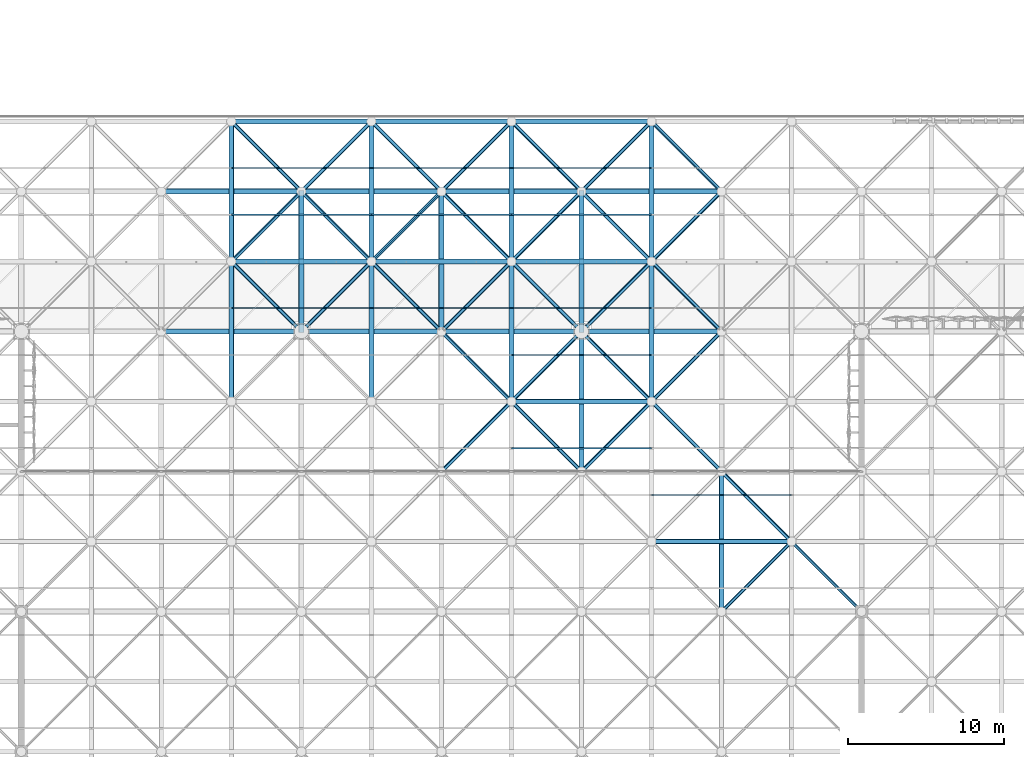
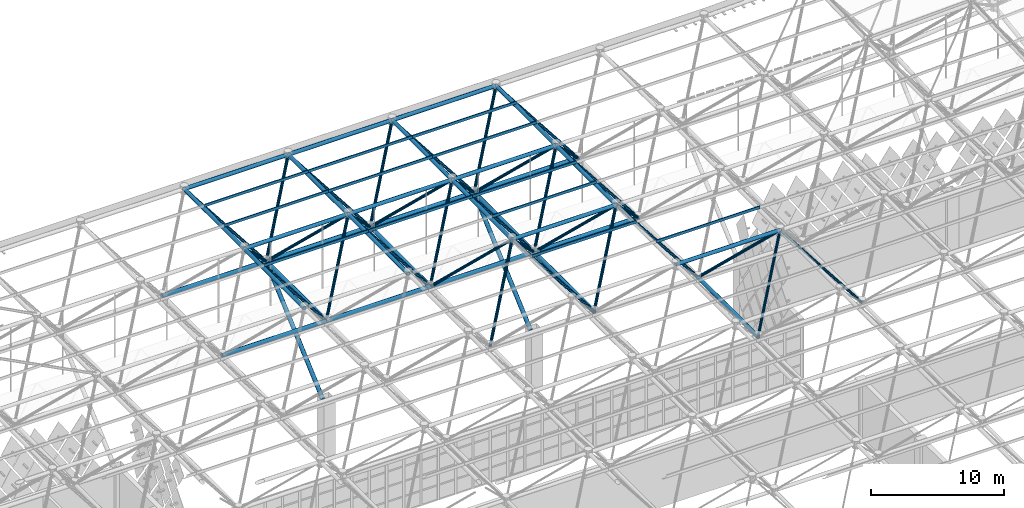
# One storey, part 185 of 437: 75 members.
"""IFC4 building model written with IfcOpenShell, lengths in metres."""

from ifc_helpers import new_model, si_unit, direction, frame, origin, origin_2d, place, context, subcontext, project, spatial, polyline, hollow_circle, outline, extrude, material, material_profile, profile_set, type_object, element, save


model = new_model("IFC4")

# Units and contexts
model_context = context("Model", 3, precision=1e-05, world=origin(), true_north=direction((0.0, 1.0)))
body_context = subcontext(model_context, "Body", "Model", "MODEL_VIEW")
ifc_project = project(units=[si_unit("LENGTHUNIT", "METRE"), si_unit("AREAUNIT", "SQUARE_METRE"), si_unit("VOLUMEUNIT", "CUBIC_METRE"), si_unit("PLANEANGLEUNIT", "RADIAN"), si_unit("MASSUNIT", "GRAM", prefix="KILO")], contexts=[model_context])

# Site, building, storey
site_placement = place(None, origin())
site = spatial("IfcSite", under=ifc_project, at=site_placement, CompositionType="ELEMENT")
building_placement = place(site_placement, origin())
building = spatial("IfcBuilding", under=site, at=building_placement, Name="Opaline Strait Convention Centre", CompositionType="ELEMENT")
storey_placement = place(building_placement, frame((0.0, 0.0, 11.5)))
storey = spatial("IfcBuildingStorey", under=building, at=storey_placement, Name="L02", CompositionType="ELEMENT", Elevation=11.5)

# Members
ifc_material = material(Name="Steel Q355B", Category="steel")
ifc_material_profile_1 = material_profile(ifc_material, hollow_circle(Radius=0.175537109375, WallThickness=0.01611328125, at=origin_2d()), Name="CHS 351x16")
ifc_profile_set_1 = profile_set([ifc_material_profile_1], Name="Steel Q355B")
member_type_1 = type_object("IfcMemberType", Name="Raking prop CHS 351x16", PredefinedType="BRACE", material=ifc_profile_set_1)
for number, where, z_axis, x_axis, name in (
    (1, (171.0, 153.51611328125, 5.01416015625), (0.0, 0.749834093781, 0.661625900191), (-1.0, 0.0, 0.0), "Raking prop 171/153 N"),
    (2, (189.0, 153.51611328125, 5.01416015625), (0.0, 0.749834093781, 0.661625900191), (-1.0, 0.0, 0.0), "Raking prop 189/153 N"),
):
    element("IfcMember", number, at=place(storey_placement, frame(where, z_axis=z_axis, x_axis=x_axis)), inside=storey, type_object=member_type_1, Name=name, PredefinedType="BRACE", context=body_context, shape_type="SweptSolid", body=[
        extrude(hollow_circle(Radius=0.175537109375, WallThickness=0.01611328125, at=origin_2d()), origin(), (0.0, 0.0, 1.0), 11.364501953125),
    ])
ifc_material_profile_2 = material_profile(ifc_material, outline(polyline([(-0.03759765625, -0.125), (0.03759765625, -0.125), (0.03759765625, -0.10498046875), (0.034912109375, -0.10498046875), (0.034912109375, -0.12255859375), (-0.034912109375, -0.12255859375), (-0.034912109375, 0.12255859375), (0.034912109375, 0.12255859375), (0.034912109375, 0.10498046875), (0.03759765625, 0.10498046875), (0.03759765625, 0.125), (-0.03759765625, 0.125), (-0.03759765625, -0.125)])), Name="C 250x75x20x2.5")
ifc_profile_set_2 = profile_set([ifc_material_profile_2], Name="Steel Q355B")
member_type_2 = type_object("IfcMemberType", Name="Roof purlin C 250x75x20x2.5", PredefinedType="PURLIN", material=ifc_profile_set_2)
for number, where, z_axis, x_axis, name in (
    (3, (184.5, 145.5, 18.257080078125), (1.0, 0.0, 0.0), (0.0, 1.0, 0.0), "EXB-RF-P-11-11-1"),
    (4, (193.5, 142.5, 18.257080078125), (1.0, 0.0, 0.0), (0.0, 1.0, 0.0), "EXB-RF-P-12-11-0"),
    (5, (166.5, 154.5, 18.257080078125), (1.0, 0.0, 0.0), (0.0, 1.0, 0.0), "EXB-RF-P-9-12-1"),
    (6, (175.5, 154.5, 18.257080078125), (1.0, 0.0, 0.0), (0.0, 1.0, 0.0), "EXB-RF-P-10-12-1"),
    (7, (184.5, 151.5, 18.257080078125), (1.0, 0.0, 0.0), (0.0, 1.0, 0.0), "EXB-RF-P-11-12-0"),
    (8, (184.5, 154.5, 18.257080078125), (1.0, 0.0, 0.0), (0.0, 1.0, 0.0), "EXB-RF-P-11-12-1"),
    (9, (166.5, 160.5, 18.257080078125), (1.0, 0.0, 0.0), (0.0, 1.0, 0.0), "EXB-RF-P-9-13-0"),
    (10, (166.5, 163.5, 18.257080078125), (1.0, 0.0, 0.0), (0.0, 1.0, 0.0), "EXB-RF-P-9-13-1"),
    (11, (175.5, 160.5, 18.257080078125), (1.0, 0.0, 0.0), (0.0, 1.0, 0.0), "EXB-RF-P-10-13-0"),
    (12, (175.5, 163.5, 18.257080078125), (1.0, 0.0, 0.0), (0.0, 1.0, 0.0), "EXB-RF-P-10-13-1"),
    (13, (184.5, 160.5, 18.257080078125), (1.0, 0.0, 0.0), (0.0, 1.0, 0.0), "EXB-RF-P-11-13-0"),
    (14, (184.5, 163.5, 18.257080078125), (1.0, 0.0, 0.0), (0.0, 1.0, 0.0), "EXB-RF-P-11-13-1"),
):
    element("IfcMember", number, at=place(storey_placement, frame(where, z_axis=z_axis, x_axis=x_axis)), inside=storey, type_object=member_type_2, Name=name, PredefinedType="PURLIN", context=body_context, shape_type="SweptSolid", body=[
        extrude(outline(polyline([(-0.03759765625, -0.125), (0.03759765625, -0.125), (0.03759765625, -0.10498046875), (0.034912109375, -0.10498046875), (0.034912109375, -0.12255859375), (-0.034912109375, -0.12255859375), (-0.034912109375, 0.12255859375), (0.034912109375, 0.12255859375), (0.034912109375, 0.10498046875), (0.03759765625, 0.10498046875), (0.03759765625, 0.125), (-0.03759765625, 0.125), (-0.03759765625, -0.125)])), origin(), (0.0, 0.0, 1.0), 9.0),
    ])
ifc_material_profile_3 = material_profile(ifc_material, hollow_circle(Radius=0.16259765625, WallThickness=0.013916015625, at=origin_2d()), Name="CHS 325x14")
ifc_profile_set_3 = profile_set([ifc_material_profile_3], Name="Steel Q355B")
member_type_3 = type_object("IfcMemberType", Name="Space frame bottom chord CHS 325x14", PredefinedType="CHORD", material=ifc_profile_set_3)
member_placement = place(storey_placement, frame((198.0, 134.949951171875, 12.5), z_axis=(0.0, 1.0, 0.0), x_axis=(-1.0, 0.0, 0.0)))
element("IfcMember", 15, at=member_placement, inside=storey, type_object=member_type_3, Name="EXB-RF-BY-12-10", PredefinedType="CHORD", context=body_context, shape_type="SweptSolid", body=[
    extrude(hollow_circle(Radius=0.16259765625, WallThickness=0.013916015625, at=origin_2d()), origin(), (0.0, 0.0, 1.0), 9.10009765625),
])
ifc_material_profile_4 = material_profile(ifc_material, hollow_circle(Radius=0.175537109375, WallThickness=0.01611328125, at=origin_2d()), Name="CHS 351x16")
ifc_profile_set_4 = profile_set([ifc_material_profile_4], Name="Steel Q355B")
member_type_4 = type_object("IfcMemberType", Name="Space frame bottom chord CHS 351x16", PredefinedType="CHORD", material=ifc_profile_set_4)
for number, where, z_axis, x_axis, name in (
    (16, (161.949951171875, 153.0, 12.5), (1.0, 0.0, 0.0), (0.0, 1.0, 0.0), "EXB-RF-BX-8-12"),
    (17, (170.949951171875, 153.0, 12.5), (1.0, 0.0, 0.0), (0.0, 1.0, 0.0), "EXB-RF-BX-9-12"),
    (18, (179.949951171875, 153.0, 12.5), (1.0, 0.0, 0.0), (0.0, 1.0, 0.0), "EXB-RF-BX-10-12"),
    (19, (188.949951171875, 153.0, 12.5), (1.0, 0.0, 0.0), (0.0, 1.0, 0.0), "EXB-RF-BX-11-12"),
    (20, (161.949951171875, 162.0, 12.5), (1.0, 0.0, 0.0), (0.0, 1.0, 0.0), "EXB-RF-BX-8-13"),
    (21, (170.949951171875, 162.0, 12.5), (1.0, 0.0, 0.0), (0.0, 1.0, 0.0), "EXB-RF-BX-9-13"),
    (22, (179.949951171875, 162.0, 12.5), (1.0, 0.0, 0.0), (0.0, 1.0, 0.0), "EXB-RF-BX-10-13"),
    (23, (188.949951171875, 162.0, 12.5), (1.0, 0.0, 0.0), (0.0, 1.0, 0.0), "EXB-RF-BX-11-13"),
    (24, (171.0, 152.949951171875, 12.5), (0.0, 1.0, 0.0), (-1.0, 0.0, 0.0), "EXB-RF-BY-9-12"),
    (25, (180.0, 152.949951171875, 12.5), (0.0, 1.0, 0.0), (-1.0, 0.0, 0.0), "EXB-RF-BY-10-12"),
    (26, (189.0, 143.949951171875, 12.5), (0.0, 1.0, 0.0), (-1.0, 0.0, 0.0), "EXB-RF-BY-11-11"),
    (27, (189.0, 152.949951171875, 12.5), (0.0, 1.0, 0.0), (-1.0, 0.0, 0.0), "EXB-RF-BY-11-12"),
):
    element("IfcMember", number, at=place(storey_placement, frame(where, z_axis=z_axis, x_axis=x_axis)), inside=storey, type_object=member_type_4, Name=name, PredefinedType="CHORD", context=body_context, shape_type="SweptSolid", body=[
        extrude(hollow_circle(Radius=0.175537109375, WallThickness=0.01611328125, at=origin_2d()), origin(), (0.0, 0.0, 1.0), 9.10009765625),
    ])
ifc_material_profile_5 = material_profile(ifc_material, hollow_circle(Radius=0.16259765625, WallThickness=0.013916015625, at=origin_2d()), Name="CHS 325x14")
ifc_profile_set_5 = profile_set([ifc_material_profile_5], Name="Steel Q355B")
member_type_5 = type_object("IfcMemberType", Name="Space frame top chord CHS 325x14", PredefinedType="CHORD", material=ifc_profile_set_5)
for number, where, z_axis, x_axis, name in (
    (28, (193.449951171875, 139.5, 17.971435546875), (1.0, 0.0, 0.0), (0.0, 1.0, 0.0), "EXB-RF-TX-12-11"),
    (29, (175.449951171875, 166.5, 17.971435546875), (1.0, 0.0, 0.0), (0.0, 1.0, 0.0), "EXB-RF-TX-10-14"),
):
    element("IfcMember", number, at=place(storey_placement, frame(where, z_axis=z_axis, x_axis=x_axis)), inside=storey, type_object=member_type_5, Name=name, PredefinedType="CHORD", context=body_context, shape_type="SweptSolid", body=[
        extrude(hollow_circle(Radius=0.16259765625, WallThickness=0.013916015625, at=origin_2d()), origin(), (0.0, 0.0, 1.0), 9.10009765625),
    ])
ifc_material_profile_6 = material_profile(ifc_material, hollow_circle(Radius=0.16259765625, WallThickness=0.02001953125, at=origin_2d()), Name="CHS 325x20")
ifc_profile_set_6 = profile_set([ifc_material_profile_6], Name="Steel Q355B")
member_type_6 = type_object("IfcMemberType", Name="Space frame top chord CHS 325x20", PredefinedType="CHORD", material=ifc_profile_set_6)
for number, where, z_axis, x_axis, name in (
    (30, (184.449951171875, 148.5, 17.971435546875), (1.0, 0.0, 0.0), (0.0, 1.0, 0.0), "EXB-RF-TX-11-12"),
    (31, (166.449951171875, 157.5, 17.971435546875), (1.0, 0.0, 0.0), (0.0, 1.0, 0.0), "EXB-RF-TX-9-13"),
    (32, (175.449951171875, 157.5, 17.971435546875), (1.0, 0.0, 0.0), (0.0, 1.0, 0.0), "EXB-RF-TX-10-13"),
    (33, (184.449951171875, 157.5, 17.971435546875), (1.0, 0.0, 0.0), (0.0, 1.0, 0.0), "EXB-RF-TX-11-13"),
    (34, (166.449951171875, 166.5, 17.971435546875), (1.0, 0.0, 0.0), (0.0, 1.0, 0.0), "EXB-RF-TX-9-14"),
    (35, (184.449951171875, 166.5, 17.971435546875), (1.0, 0.0, 0.0), (0.0, 1.0, 0.0), "EXB-RF-TX-11-14"),
    (36, (166.5, 148.449951171875, 17.971435546875), (0.0, 1.0, 0.0), (-1.0, 0.0, 0.0), "EXB-RF-TY-9-12"),
    (37, (166.5, 157.449951171875, 17.971435546875), (0.0, 1.0, 0.0), (-1.0, 0.0, 0.0), "EXB-RF-TY-9-13"),
    (38, (175.5, 148.449951171875, 17.971435546875), (0.0, 1.0, 0.0), (-1.0, 0.0, 0.0), "EXB-RF-TY-10-12"),
    (39, (175.5, 157.449951171875, 17.971435546875), (0.0, 1.0, 0.0), (-1.0, 0.0, 0.0), "EXB-RF-TY-10-13"),
    (40, (184.5, 148.449951171875, 17.971435546875), (0.0, 1.0, 0.0), (-1.0, 0.0, 0.0), "EXB-RF-TY-11-12"),
    (41, (184.5, 157.449951171875, 17.971435546875), (0.0, 1.0, 0.0), (-1.0, 0.0, 0.0), "EXB-RF-TY-11-13"),
    (42, (193.5, 148.449951171875, 17.971435546875), (0.0, 1.0, 0.0), (-1.0, 0.0, 0.0), "EXB-RF-TY-12-12"),
    (43, (193.5, 157.449951171875, 17.971435546875), (0.0, 1.0, 0.0), (-1.0, 0.0, 0.0), "EXB-RF-TY-12-13"),
):
    element("IfcMember", number, at=place(storey_placement, frame(where, z_axis=z_axis, x_axis=x_axis)), inside=storey, type_object=member_type_6, Name=name, PredefinedType="CHORD", context=body_context, shape_type="SweptSolid", body=[
        extrude(hollow_circle(Radius=0.16259765625, WallThickness=0.02001953125, at=origin_2d()), origin(), (0.0, 0.0, 1.0), 9.10009765625),
    ])
ifc_material_profile_7 = material_profile(ifc_material, hollow_circle(Radius=0.109619140625, WallThickness=0.010009765625, at=origin_2d()), Name="CHS 219x10")
ifc_profile_set_7 = profile_set([ifc_material_profile_7], Name="Steel Q355B")
member_type_7 = type_object("IfcMemberType", Name="Space frame web CHS 219x10", PredefinedType="BRACE", material=ifc_profile_set_7)
for number, where, z_axis, x_axis, name in (
    (44, (202.52685546875, 139.52685546875, 18.004150390625), (-0.536178220346, -0.536178220346, -0.6519400525), (0.707106781187, -0.707106781187, 0.0), "EXB-RF-W-12-10-11"),
    (45, (202.47314453125, 139.52685546875, 18.004150390625), (0.536178220346, -0.536178220346, -0.6519400525), (0.707106781187, 0.707106781187, 0.0), "EXB-RF-W-13-10-01"),
):
    element("IfcMember", number, at=place(storey_placement, frame(where, z_axis=z_axis, x_axis=x_axis)), inside=storey, type_object=member_type_7, Name=name, PredefinedType="BRACE", context=body_context, shape_type="SweptSolid", body=[
        extrude(hollow_circle(Radius=0.109619140625, WallThickness=0.010009765625, at=origin_2d()), origin(), (0.0, 0.0, 1.0), 8.492919921875),
    ])
ifc_material_profile_8 = material_profile(ifc_material, hollow_circle(Radius=0.12255859375, WallThickness=0.011962890625, at=origin_2d()), Name="CHS 245x12")
ifc_profile_set_8 = profile_set([ifc_material_profile_8], Name="Steel Q355B")
member_type_8 = type_object("IfcMemberType", Name="Space frame web CHS 245x12", PredefinedType="BRACE", material=ifc_profile_set_8)
for number, where, z_axis, x_axis, name in (
    (46, (166.47314453125, 157.52685546875, 18.004150390625), (0.536178220346, -0.536178220346, -0.6519400525), (0.707106781187, 0.707106781187, 0.0), "EXB-RF-W-9-12-01"),
    (47, (175.52685546875, 157.52685546875, 18.004150390625), (-0.536178220346, -0.536178220346, -0.6519400525), (0.707106781187, -0.707106781187, 0.0), "EXB-RF-W-9-12-11"),
    (48, (166.47314453125, 157.47314453125, 18.004150390625), (0.536178220346, 0.536178220346, -0.6519400525), (-0.707106781187, 0.707106781187, 0.0), "EXB-RF-W-9-13-00"),
    (49, (166.47314453125, 166.52685546875, 18.004150390625), (0.536178220346, -0.536178220346, -0.6519400525), (0.707106781187, 0.707106781187, 0.0), "EXB-RF-W-9-13-01"),
    (50, (175.52685546875, 157.47314453125, 18.004150390625), (-0.536178220346, 0.536178220346, -0.6519400525), (-0.707106781187, -0.707106781187, 0.0), "EXB-RF-W-9-13-10"),
    (51, (175.52685546875, 166.52685546875, 18.004150390625), (-0.536178220346, -0.536178220346, -0.6519400525), (0.707106781187, -0.707106781187, 0.0), "EXB-RF-W-9-13-11"),
    (52, (184.52685546875, 148.52685546875, 18.004150390625), (-0.536178220346, -0.536178220346, -0.6519400525), (0.707106781187, -0.707106781187, 0.0), "EXB-RF-W-10-11-11"),
    (53, (175.47314453125, 157.52685546875, 18.004150390625), (0.536178220346, -0.536178220346, -0.6519400525), (0.707106781187, 0.707106781187, 0.0), "EXB-RF-W-10-12-01"),
    (54, (184.52685546875, 148.47314453125, 18.004150390625), (-0.536178220346, 0.536178220346, -0.6519400525), (-0.707106781187, -0.707106781187, 0.0), "EXB-RF-W-10-12-10"),
    (55, (184.52685546875, 157.52685546875, 18.004150390625), (-0.536178220346, -0.536178220346, -0.6519400525), (0.707106781187, -0.707106781187, 0.0), "EXB-RF-W-10-12-11"),
    (56, (175.47314453125, 157.47314453125, 18.004150390625), (0.536178220346, 0.536178220346, -0.6519400525), (-0.707106781187, 0.707106781187, 0.0), "EXB-RF-W-10-13-00"),
    (57, (175.47314453125, 166.52685546875, 18.004150390625), (0.536178220346, -0.536178220346, -0.6519400525), (0.707106781187, 0.707106781187, 0.0), "EXB-RF-W-10-13-01"),
    (58, (184.52685546875, 157.47314453125, 18.004150390625), (-0.536178220346, 0.536178220346, -0.6519400525), (-0.707106781187, -0.707106781187, 0.0), "EXB-RF-W-10-13-10"),
    (59, (184.52685546875, 166.52685546875, 18.004150390625), (-0.536178220346, -0.536178220346, -0.6519400525), (0.707106781187, -0.707106781187, 0.0), "EXB-RF-W-10-13-11"),
    (60, (184.47314453125, 148.52685546875, 18.004150390625), (0.536178220346, -0.536178220346, -0.6519400525), (0.707106781187, 0.707106781187, 0.0), "EXB-RF-W-11-11-01"),
    (61, (193.52685546875, 148.52685546875, 18.004150390625), (-0.536178220346, -0.536178220346, -0.6519400525), (0.707106781187, -0.707106781187, 0.0), "EXB-RF-W-11-11-11"),
    (62, (184.47314453125, 148.47314453125, 18.004150390625), (0.536178220346, 0.536178220346, -0.6519400525), (-0.707106781187, 0.707106781187, 0.0), "EXB-RF-W-11-12-00"),
    (63, (184.47314453125, 157.52685546875, 18.004150390625), (0.536178220346, -0.536178220346, -0.6519400525), (0.707106781187, 0.707106781187, 0.0), "EXB-RF-W-11-12-01"),
    (64, (193.52685546875, 148.47314453125, 18.004150390625), (-0.536178220346, 0.536178220346, -0.6519400525), (-0.707106781187, -0.707106781187, 0.0), "EXB-RF-W-11-12-10"),
    (65, (193.52685546875, 157.52685546875, 18.004150390625), (-0.536178220346, -0.536178220346, -0.6519400525), (0.707106781187, -0.707106781187, 0.0), "EXB-RF-W-11-12-11"),
    (66, (184.47314453125, 157.47314453125, 18.004150390625), (0.536178220346, 0.536178220346, -0.6519400525), (-0.707106781187, 0.707106781187, 0.0), "EXB-RF-W-11-13-00"),
    (67, (184.47314453125, 166.52685546875, 18.004150390625), (0.536178220346, -0.536178220346, -0.6519400525), (0.707106781187, 0.707106781187, 0.0), "EXB-RF-W-11-13-01"),
    (68, (193.52685546875, 157.47314453125, 18.004150390625), (-0.536178220346, 0.536178220346, -0.6519400525), (-0.707106781187, -0.707106781187, 0.0), "EXB-RF-W-11-13-10"),
    (69, (193.52685546875, 166.52685546875, 18.004150390625), (-0.536178220346, -0.536178220346, -0.6519400525), (0.707106781187, -0.707106781187, 0.0), "EXB-RF-W-11-13-11"),
    (70, (193.47314453125, 148.52685546875, 18.004150390625), (0.536178220346, -0.536178220346, -0.6519400525), (0.707106781187, 0.707106781187, 0.0), "EXB-RF-W-12-11-01"),
    (71, (202.52685546875, 139.47314453125, 18.004150390625), (-0.536178220346, 0.536178220346, -0.6519400525), (-0.707106781187, -0.707106781187, 0.0), "EXB-RF-W-12-11-10"),
    (72, (193.47314453125, 148.47314453125, 18.004150390625), (0.536178220346, 0.536178220346, -0.6519400525), (-0.707106781187, 0.707106781187, 0.0), "EXB-RF-W-12-12-00"),
    (73, (193.47314453125, 157.52685546875, 18.004150390625), (0.536178220346, -0.536178220346, -0.6519400525), (0.707106781187, 0.707106781187, 0.0), "EXB-RF-W-12-12-01"),
    (74, (193.47314453125, 157.47314453125, 18.004150390625), (0.536178220346, 0.536178220346, -0.6519400525), (-0.707106781187, 0.707106781187, 0.0), "EXB-RF-W-12-13-00"),
    (75, (193.47314453125, 166.52685546875, 18.004150390625), (0.536178220346, -0.536178220346, -0.6519400525), (0.707106781187, 0.707106781187, 0.0), "EXB-RF-W-12-13-01"),
):
    element("IfcMember", number, at=place(storey_placement, frame(where, z_axis=z_axis, x_axis=x_axis)), inside=storey, type_object=member_type_8, Name=name, PredefinedType="BRACE", context=body_context, shape_type="SweptSolid", body=[
        extrude(hollow_circle(Radius=0.12255859375, WallThickness=0.011962890625, at=origin_2d()), origin(), (0.0, 0.0, 1.0), 8.492919921875),
    ])

save(model, "model.ifc")
